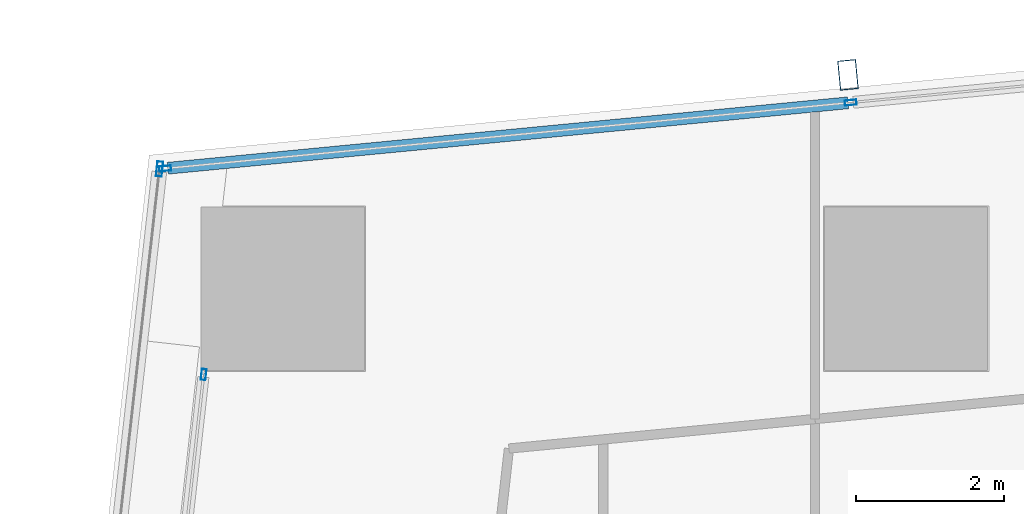
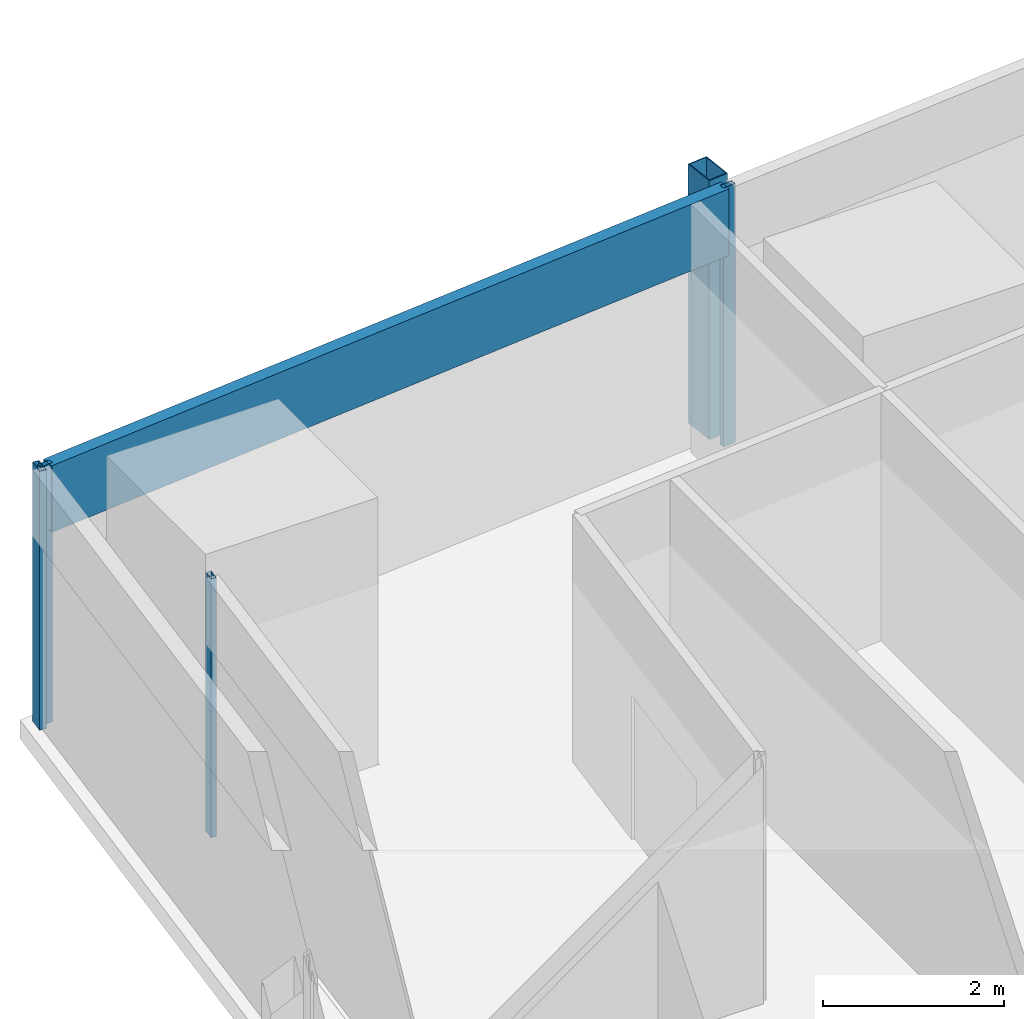
# One storey, part 16 of 42: 6 members, 3 elements without a shape of their own.
"""IFC4 building model written with IfcOpenShell, lengths in metres."""

from ifc_helpers import new_model, si_unit, direction, frame, origin, origin_2d, place, context, subcontext, project, spatial, hollow_rectangle, extrude, material, material_profile, profile_set, type_object, element, aggregate, save


model = new_model("IFC4")

# Units and contexts
model_context = context("Model", 3, precision=1e-05, world=origin(), true_north=direction((0.0, 1.0)))
body_context = subcontext(model_context, "Body", "Model", "MODEL_VIEW")
ifc_project = project(units=[si_unit("LENGTHUNIT", "METRE"), si_unit("AREAUNIT", "SQUARE_METRE"), si_unit("VOLUMEUNIT", "CUBIC_METRE"), si_unit("PLANEANGLEUNIT", "RADIAN"), si_unit("MASSUNIT", "GRAM", prefix="KILO")], contexts=[model_context])

# Site, building, storey
site_placement = place(None, origin())
site = spatial("IfcSite", under=ifc_project, at=site_placement, CompositionType="ELEMENT")
building_placement = place(site_placement, origin())
building = spatial("IfcBuilding", under=site, at=building_placement, Name="Rekha Terrace Tower", CompositionType="ELEMENT")
storey_placement = place(building_placement, frame((0.0, 0.0, 40.39990234375)))
storey = spatial("IfcBuildingStorey", under=building, at=storey_placement, Name="L09", CompositionType="ELEMENT", Elevation=40.39990234375)

# Curtain wall, member
ifc_material_1 = material(Name="Aluminium framing", Category="aluminium")
curtain_wall_type_1 = type_object("IfcCurtainWallType", Name="CW3 north unitised glazing", PredefinedType="USERDEFINED", material=ifc_material_1)
curtain_wall_1_placement = place(storey_placement, origin())
curtain_wall_1 = element("IfcCurtainWall", 1, at=curtain_wall_1_placement, inside=storey, type_object=curtain_wall_type_1, Name="CW3 unitised curtain wall", ObjectType="UNITISED CURTAIN WALL", PredefinedType="USERDEFINED")
ifc_material_2 = material(Name="Steel S355 with fluorocarbon finish", Category="steel")
ifc_material_profile_1 = material_profile(ifc_material_2, hollow_rectangle(XDim=0.25, YDim=0.39990234375, WallThickness=0.012451171875, at=origin_2d()), Name="RHS400x250x12.5")
ifc_profile_set_1 = profile_set([ifc_material_profile_1], Name="Steel S355 with fluorocarbon finish")
member_type_1 = type_object("IfcMemberType", Name="BL1 facade blade RHS 400 x 250", PredefinedType="USERDEFINED", material=ifc_profile_set_1)
member_1_placement = place(storey_placement, frame((16.01708984375, 61.681396484375, 0.0), z_axis=(0.0, 0.0, 1.0), x_axis=(-0.995409070123, -0.095711980009, 0.0)))
member_1 = element("IfcMember", 2, at=member_1_placement, type_object=member_type_1, Name="Facade blade", ObjectType="FACADE BLADE", PredefinedType="USERDEFINED", context=body_context, shape_type="SweptSolid", body=[
    extrude(hollow_rectangle(XDim=0.25, YDim=0.39990234375, WallThickness=0.012451171875, at=origin_2d()), origin(), (0.0, 0.0, 1.0), 3.5),
])

curtain_wall_type_2 = type_object("IfcCurtainWallType", Name="CW1 double skin inner glazing", PredefinedType="USERDEFINED", material=ifc_material_1)
curtain_wall_2_placement = place(storey_placement, origin())
curtain_wall_2 = element("IfcCurtainWall", 3, at=curtain_wall_2_placement, inside=storey, type_object=curtain_wall_type_2, Name="CW1 double skin inner glazing", ObjectType="DOUBLE SKIN INNER GLAZING", PredefinedType="USERDEFINED")
ifc_material_3 = material(Name="Aluminium mullion section", Category="aluminium")
ifc_material_profile_2 = material_profile(ifc_material_3, hollow_rectangle(XDim=0.06494140625, YDim=0.14990234375, WallThickness=0.00390625, at=origin_2d()), Name="AL RHS 65x150")
ifc_profile_set_2 = profile_set([ifc_material_profile_2], Name="Aluminium mullion section")
member_type_2 = type_object("IfcMemberType", Name="CW1 mullion RHS 65 x 150", PredefinedType="MULLION", material=ifc_profile_set_2)
member_2_placement = place(storey_placement, frame((7.334228515625, 57.643310546875, 0.0), z_axis=(0.0, 0.0, 1.0), x_axis=(0.993738615524, -0.111729870748, 0.0)))
member_2 = element("IfcMember", 4, at=member_2_placement, type_object=member_type_2, Name="CW1 mullion 1", PredefinedType="MULLION", context=body_context, shape_type="SweptSolid", body=[
    extrude(hollow_rectangle(XDim=0.06494140625, YDim=0.14990234375, WallThickness=0.00390625, at=origin_2d()), origin(), (0.0, 0.0, 1.0), 3.5),
])
aggregate(curtain_wall_2, [member_2])

curtain_wall_type_3 = type_object("IfcCurtainWallType", Name="CW2 double skin outer glazing", PredefinedType="USERDEFINED", material=ifc_material_1)
curtain_wall_3_placement = place(storey_placement, origin())
curtain_wall_3 = element("IfcCurtainWall", 5, at=curtain_wall_3_placement, inside=storey, type_object=curtain_wall_type_3, Name="CW2 double skin outer glazing", ObjectType="DOUBLE SKIN OUTER GLAZING", PredefinedType="USERDEFINED")
ifc_material_profile_3 = material_profile(ifc_material_3, hollow_rectangle(XDim=0.080078125, YDim=0.199951171875, WallThickness=0.00390625, at=origin_2d()), Name="AL RHS 80x200")
ifc_profile_set_3 = profile_set([ifc_material_profile_3], Name="Aluminium mullion section")
member_type_3 = type_object("IfcMemberType", Name="CW2 mullion RHS 80 x 200", PredefinedType="MULLION", material=ifc_profile_set_3)
member_3_placement = place(storey_placement, frame((6.739990234375, 60.413330078125, 0.0), z_axis=(0.0, 0.0, 1.0), x_axis=(0.99373861552, -0.111729870782, 0.0)))
member_3 = element("IfcMember", 6, at=member_3_placement, type_object=member_type_3, Name="CW2 mullion 1", PredefinedType="MULLION", context=body_context, shape_type="SweptSolid", body=[
    extrude(hollow_rectangle(XDim=0.080078125, YDim=0.199951171875, WallThickness=0.00390625, at=origin_2d()), origin(), (0.0, 0.0, 1.0), 3.5),
])
aggregate(curtain_wall_3, [member_3])

# Member
ifc_material_profile_4 = material_profile(ifc_material_3, hollow_rectangle(XDim=0.070068359375, YDim=0.159912109375, WallThickness=0.00390625, at=origin_2d()), Name="AL RHS 70x160")
ifc_profile_set_4 = profile_set([ifc_material_profile_4], Name="Aluminium mullion section")
member_type_4 = type_object("IfcMemberType", Name="CW3 mullion RHS 70 x 160", PredefinedType="MULLION", material=ifc_profile_set_4)
member_4_placement = place(storey_placement, frame((16.052978515625, 61.30810546875, 0.0), z_axis=(0.0, 0.0, 1.0), x_axis=(0.095712406625, -0.995409029102, 0.0)))
member_4 = element("IfcMember", 7, at=member_4_placement, type_object=member_type_4, Name="CW3 mullion 2", PredefinedType="MULLION", context=body_context, shape_type="SweptSolid", body=[
    extrude(hollow_rectangle(XDim=0.070068359375, YDim=0.159912109375, WallThickness=0.00390625, at=origin_2d()), origin(), (0.0, 0.0, 1.0), 3.5),
])

member_5_placement = place(storey_placement, frame((6.8154296875, 60.419677734375, 0.0), z_axis=(0.0, 0.0, 1.0), x_axis=(0.095712406625, -0.995409029102, 0.0)))
member_5 = element("IfcMember", 8, at=member_5_placement, type_object=member_type_4, Name="CW3 mullion 3", PredefinedType="MULLION", context=body_context, shape_type="SweptSolid", body=[
    extrude(hollow_rectangle(XDim=0.070068359375, YDim=0.159912109375, WallThickness=0.00390625, at=origin_2d()), origin(), (0.0, 0.0, 1.0), 3.5),
])

ifc_material_4 = material(Name="Insulated aluminium spandrel box", Category="aluminium")
ifc_material_profile_5 = material_profile(ifc_material_4, hollow_rectangle(XDim=0.159912109375, YDim=0.89990234375, WallThickness=0.0029296875, at=origin_2d()), Name="AL SPANDREL BOX 160x900")
ifc_profile_set_5 = profile_set([ifc_material_profile_5], Name="Insulated aluminium spandrel box")
member_type_5 = type_object("IfcMemberType", Name="CW3 spandrel transom 160 x 900", PredefinedType="USERDEFINED", material=ifc_profile_set_5)
member_6_placement = place(storey_placement, frame((16.018310546875, 61.3046875, 3.050048828125), z_axis=(-0.995408446287, -0.095718467713, 0.0), x_axis=(0.095718467713, -0.995408446287, 0.0)))
member_6 = element("IfcMember", 9, at=member_6_placement, type_object=member_type_5, Name="CW3 spandrel transom 2", ObjectType="TRANSOM", PredefinedType="USERDEFINED", context=body_context, shape_type="SweptSolid", body=[
    extrude(hollow_rectangle(XDim=0.159912109375, YDim=0.89990234375, WallThickness=0.0029296875, at=origin_2d()), origin(), (0.0, 0.0, 1.0), 9.210205078125),
])

aggregate(curtain_wall_1, [member_4, member_5, member_6, member_1])

save(model, "model.ifc")
